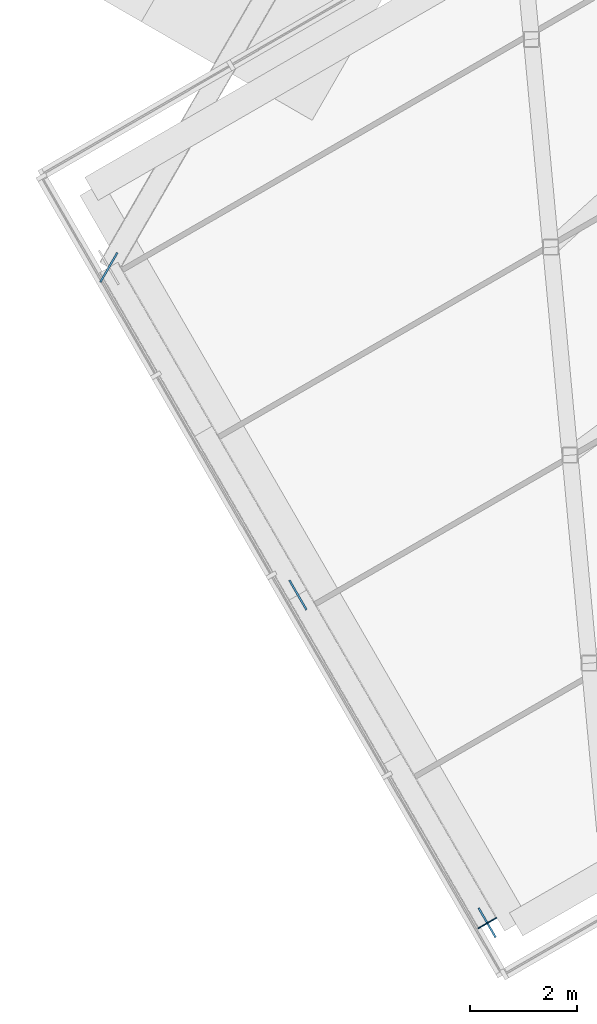
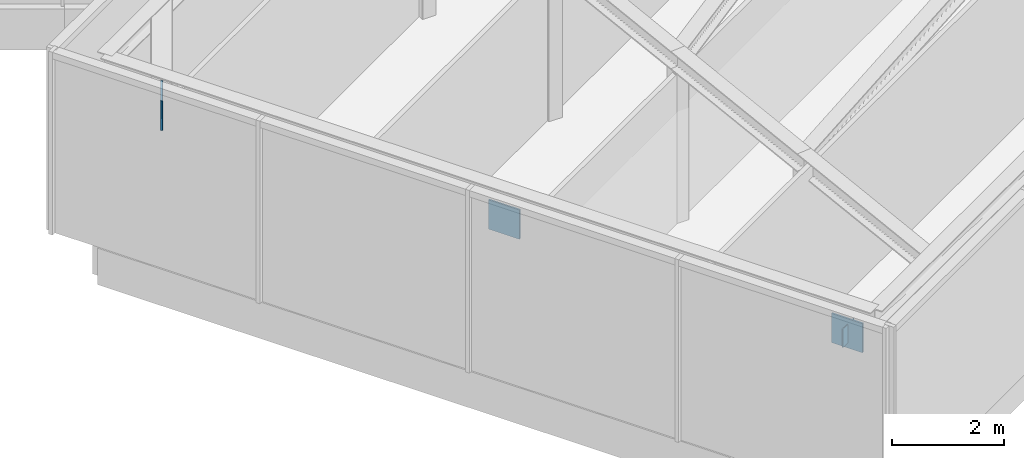
# One storey, part 23 of 28: 4 discrete accessories.
"""IFC4 building model written with IfcOpenShell, lengths in metres."""

import ifcopenshell
import ifcopenshell.guid

model = None  # the IFC model being written
_history = None  # IfcOwnerHistory: only IFC2X3 demands one
_inside = {}  # id of a spatial element -> (the spatial element, [elements in it])
_under = {}  # id of a project, library or spatial element -> (it, [spatial elements below it])
_declared = {}  # id of a project -> (the project, [libraries it declares])
_typed = {}  # id of a type object -> (the type object, [elements of that type])
_made_of = {}  # id of a material, layer set ... -> (it, [elements and type objects made of it])


def new_model(schema):
    """Start an empty IFC model of exactly this schema.

    Asked for "IFC4X3", IfcOpenShell would pick the latest addendum, in which some entities
    have other attributes; the version numbers below select the first issue.
    IFC2X3 requires an IfcOwnerHistory on every rooted entity: one is made here for all.
    """
    global model, _history
    if schema == "IFC4X3":
        model = ifcopenshell.file(schema_version=(4, 3, 0, 0))
    else:
        model = ifcopenshell.file(schema=schema)
    _inside.clear()
    _under.clear()
    _declared.clear()
    _typed.clear()
    _made_of.clear()
    _history = None
    if model.schema == "IFC2X3":
        org = make("IfcOrganization", Name="unknown")
        user = make(
            "IfcPersonAndOrganization",
            ThePerson=make("IfcPerson", FamilyName="unknown"),
            TheOrganization=org,
        )
        app = make(
            "IfcApplication",
            ApplicationDeveloper=org,
            Version="unknown",
            ApplicationFullName="unknown",
            ApplicationIdentifier="unknown",
        )
        _history = make(
            "IfcOwnerHistory",
            OwningUser=user,
            OwningApplication=app,
            ChangeAction="ADDED",
            CreationDate=0,
        )
    return model


def make(cls, **values):
    """One entity of the class cls with the attributes given. An attribute that is None is left unset."""
    return model.create_entity(
        cls, **{name: value for name, value in values.items() if value is not None}
    )


def rooted(cls, **values):
    """An entity with a GlobalId (a new one), such as an element, a storey or a relation."""
    return make(cls, GlobalId=ifcopenshell.guid.new(), OwnerHistory=_history, **values)


def si_unit(unit_type, name, prefix=None):
    """IfcSIUnit, for example si_unit("LENGTHUNIT", "METRE", prefix="MILLI")."""
    return make("IfcSIUnit", UnitType=unit_type, Prefix=prefix, Name=name)


def assignment(units):
    """IfcUnitAssignment: the units of a project."""
    return None if units is None else make("IfcUnitAssignment", Units=units)


def point(xyz):
    """IfcCartesianPoint."""
    return None if xyz is None else make("IfcCartesianPoint", Coordinates=xyz)


def direction(xyz):
    """IfcDirection."""
    return None if xyz is None else make("IfcDirection", DirectionRatios=xyz)


def frame(location, z_axis=None, x_axis=None):
    """IfcAxis2Placement3D, a coordinate frame: its origin and axes. An axis left out is left unset."""
    return make(
        "IfcAxis2Placement3D",
        Location=point(location),
        Axis=direction(z_axis),
        RefDirection=direction(x_axis),
    )


def frame_2d(location, x_axis=None):
    """IfcAxis2Placement2D, a coordinate frame in the plane: its origin and x axis."""
    return make(
        "IfcAxis2Placement2D", Location=point(location), RefDirection=direction(x_axis)
    )


def origin():
    """The frame at (0, 0, 0) with its axes left unset."""
    return frame((0.0, 0.0, 0.0))


def origin_2d():
    """The frame at (0, 0) in the plane with its x axis left unset."""
    return frame_2d((0.0, 0.0))


def place(relative_to, where):
    """IfcLocalPlacement: puts the frame where relative to a parent placement (None: the world)."""
    return make(
        "IfcLocalPlacement", PlacementRelTo=relative_to, RelativePlacement=where
    )


def context(
    kind, dimensions, precision=None, world=None, true_north=None, identifier=None
):
    """IfcGeometricRepresentationContext, for example the 3D "Model" context."""
    return make(
        "IfcGeometricRepresentationContext",
        ContextIdentifier=identifier,
        ContextType=kind,
        CoordinateSpaceDimension=dimensions,
        Precision=precision,
        WorldCoordinateSystem=world,
        TrueNorth=true_north,
    )


def subcontext(parent, identifier, kind, view, scale=None):
    """IfcGeometricRepresentationSubContext, for example "Body" below "Model"."""
    return make(
        "IfcGeometricRepresentationSubContext",
        ContextIdentifier=identifier,
        ContextType=kind,
        ParentContext=parent,
        TargetScale=scale,
        TargetView=view,
    )


def project(units=None, contexts=None):
    """IfcProject with its units and contexts."""
    return rooted(
        "IfcProject",
        Name="project",
        RepresentationContexts=contexts,
        UnitsInContext=assignment(units),
    )


def spatial(cls, under=None, at=None, **own):
    """A site, building, storey or space (cls), placed at a placement, below another one or the project."""
    s = rooted(cls, ObjectPlacement=at, **own)
    if under is not None:
        _under.setdefault(under.id(), (under, []))[1].append(s)
    return s


def profile(cls, at=None, kind="AREA", **sizes):
    """A parametric profile (cls). Its sizes go by their IFC names, for example OverallWidth=200.0."""
    return make(cls, ProfileType=kind, Position=at, **sizes)


def rectangle(**sizes):
    """IfcRectangleProfileDef."""
    return profile("IfcRectangleProfileDef", **sizes)


def extrude(swept, where, along, depth):
    """IfcExtrudedAreaSolid: the profile swept, set in the frame where, extruded along a direction by depth."""
    return make(
        "IfcExtrudedAreaSolid",
        SweptArea=swept,
        Position=where,
        ExtrudedDirection=direction(along),
        Depth=depth,
    )


def shape(context_of_items, identifier, shape_type, items):
    """IfcShapeRepresentation: the items that make up one representation, for example the "Body"."""
    return make(
        "IfcShapeRepresentation",
        ContextOfItems=context_of_items,
        RepresentationIdentifier=identifier,
        RepresentationType=shape_type,
        Items=items,
    )


def material(Name=None, Category=None):
    """IfcMaterial."""
    return make("IfcMaterial", Name=Name, Category=Category)


def layer(
    of_material, thickness, ventilated=None, Name=None, Category=None, Priority=None
):
    """IfcMaterialLayer: one layer of a wall or slab, of a material (None: an air gap)."""
    return make(
        "IfcMaterialLayer",
        Material=of_material,
        LayerThickness=thickness,
        IsVentilated=ventilated,
        Name=Name,
        Category=Category,
        Priority=Priority,
    )


def layer_set(layers, Name=None):
    """IfcMaterialLayerSet."""
    return make("IfcMaterialLayerSet", MaterialLayers=layers, LayerSetName=Name)


def made_of(thing, what):
    """Note that an element or type object is made of a material, layer set ...; save() writes the relation."""
    if what is not None:
        _made_of.setdefault(what.id(), (what, []))[1].append(thing)
    return thing


def type_object(cls, material=None, **own):
    """A type object (cls), such as IfcWallType, which elements share."""
    return made_of(rooted(cls, **own), material)


def element(
    cls,
    number,
    at=None,
    inside=None,
    cuts=None,
    type_object=None,
    material=None,
    context=None,
    identifier="Body",
    shape_type=None,
    held_by="IfcProductDefinitionShape",
    body=None,
    shapes=None,
    **own,
):
    """One element of the class cls, such as IfcWall. Its Tag is "e" and its number.

    at: its placement. inside: the storey or other place that contains it. cuts: it is an
    opening in that element (IfcRelVoidsElement). A single representation is given by context,
    identifier, shape_type and body (its items); several are given by shapes. held_by: the class
    of the entity that holds the representations. save() writes the other relations.
    """
    e = rooted(cls, Tag="e%d" % number, ObjectPlacement=at, **own)
    if body is not None:
        shapes = [shape(context, identifier, shape_type, body)]
    if shapes is not None:
        e.Representation = make(held_by, Representations=shapes)
    if inside is not None:
        _inside.setdefault(inside.id(), (inside, []))[1].append(e)
    if cuts is not None:
        rooted(
            "IfcRelVoidsElement", RelatingBuildingElement=cuts, RelatedOpeningElement=e
        )
    if type_object is not None:
        _typed.setdefault(type_object.id(), (type_object, []))[1].append(e)
    return made_of(e, material)


def aggregate(whole, parts):
    """IfcRelAggregates: a whole, such as a stair, and the parts it consists of."""
    return rooted("IfcRelAggregates", RelatingObject=whole, RelatedObjects=parts)


def save(model, path):
    """Write the relations noted so far, then the file.

    IfcRelAggregates (storeys below a building ...), IfcRelContainedInSpatialStructure (elements
    in a storey), IfcRelDefinesByType, IfcRelAssociatesMaterial and IfcRelDeclares: one each for
    every whole, place, type object, material and project.
    """
    for whole, parts in _under.values():
        aggregate(whole, parts)
    for where, things in _inside.values():
        rooted(
            "IfcRelContainedInSpatialStructure",
            RelatedElements=things,
            RelatingStructure=where,
        )
    for kind, things in _typed.values():
        rooted("IfcRelDefinesByType", RelatedObjects=things, RelatingType=kind)
    for what, things in _made_of.values():
        rooted("IfcRelAssociatesMaterial", RelatedObjects=things, RelatingMaterial=what)
    for by, libraries in _declared.values():
        rooted("IfcRelDeclares", RelatingContext=by, RelatedDefinitions=libraries)
    model.write(path)


model = new_model("IFC4")

# Units and contexts
model_context = context("Model", 3, precision=1e-05, world=origin(), true_north=direction((0.0, 1.0)))
body_context = subcontext(model_context, "Body", "Model", "MODEL_VIEW")
ifc_project = project(units=[si_unit("LENGTHUNIT", "METRE"), si_unit("AREAUNIT", "SQUARE_METRE"), si_unit("VOLUMEUNIT", "CUBIC_METRE"), si_unit("PLANEANGLEUNIT", "RADIAN"), si_unit("MASSUNIT", "GRAM", prefix="KILO")], contexts=[model_context])

# Site, building, storey
site_placement = place(None, origin())
site = spatial("IfcSite", under=ifc_project, at=site_placement, CompositionType="ELEMENT")
building_placement = place(site_placement, origin())
building = spatial("IfcBuilding", under=site, at=building_placement, Name="Ayvan Gate Tower", CompositionType="ELEMENT")
storey_placement = place(building_placement, frame((0.0, 0.0, 74.300048828125)))
storey = spatial("IfcBuildingStorey", under=building, at=storey_placement, Name="L19", CompositionType="ELEMENT", Elevation=74.300048828125)

# Discrete accessories
ifc_material = material(Name="Steel S460ML", Category="steel")
ifc_layer_1 = layer(ifc_material, 0.034912109375)
ifc_layer_set_1 = layer_set([ifc_layer_1], Name="Steel S460ML")
discrete_accessory_type_1 = type_object("IfcDiscreteAccessoryType", Name="Gusset plate 35 mm", PredefinedType="BRACKET", material=ifc_layer_set_1)
for number, where, z_axis, x_axis, name in (
    (1, (-8.390869140625, -29.1767578125, 3.02978515625), (0.0, 0.0, 1.0), (0.5, 0.866025403784, 0.0), "Gusset plate SBX1-B-D-1"),
    (2, (-4.8408203125, -35.32568359375, 3.02978515625), (0.0, 0.0, 1.0), (-0.5, 0.866025403784, 0.0), "Gusset plate SBX1-B-D-3"),
    (3, (-1.290771484375, -41.474365234375, 3.02978515625), (0.0, 0.0, 1.0), (-0.5, 0.866025403784, 0.0), "Gusset plate SBX1-B-D-5"),
):
    element("IfcDiscreteAccessory", number, at=place(storey_placement, frame(where, z_axis=z_axis, x_axis=x_axis)), inside=storey, type_object=discrete_accessory_type_1, Name=name, PredefinedType="BRACKET", context=body_context, shape_type="SweptSolid", body=[
        extrude(rectangle(XDim=0.639892578125, YDim=0.034912109375, at=origin_2d()), origin(), (0.0, 0.0, 1.0), 0.639892578125),
    ])
ifc_layer_2 = layer(ifc_material, 0.02001953125)
ifc_layer_set_2 = layer_set([ifc_layer_2], Name="Steel S460ML")
discrete_accessory_type_2 = type_object("IfcDiscreteAccessoryType", Name="Sky bar end cap plate", PredefinedType="BRACKET", material=ifc_layer_set_2)
discrete_accessory_placement = place(storey_placement, frame((-1.285888671875, -41.48291015625, 3.14990234375), z_axis=(0.0, 0.0, 1.0), x_axis=(0.5, -0.866025403784, 0.0)))
element("IfcDiscreteAccessory", 4, at=discrete_accessory_placement, inside=storey, type_object=discrete_accessory_type_2, Name="End cap SBX1-B-TC-5:EC", PredefinedType="BRACKET", context=body_context, shape_type="SweptSolid", body=[
    extrude(rectangle(XDim=0.02001953125, YDim=0.39990234375, at=origin_2d()), origin(), (0.0, 0.0, 1.0), 0.39990234375),
])

save(model, "model.ifc")
